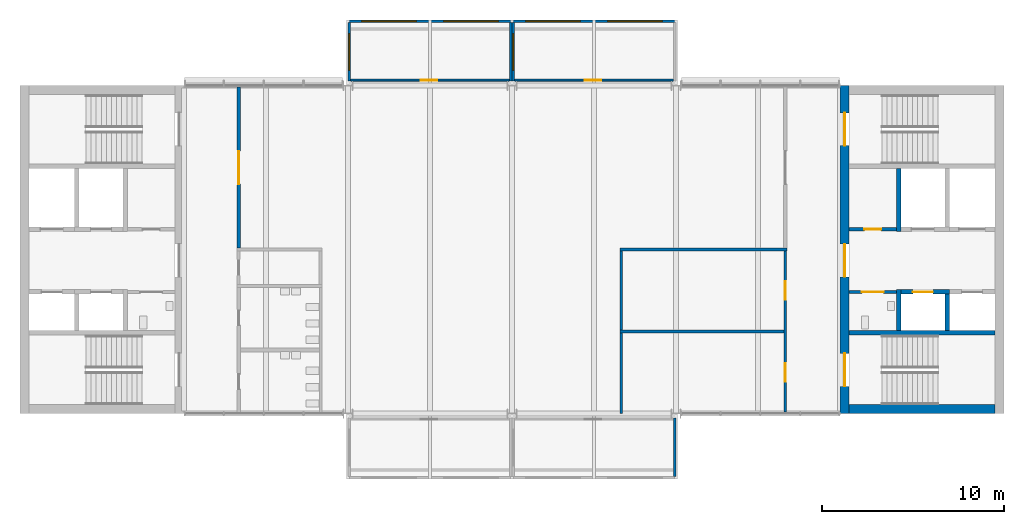
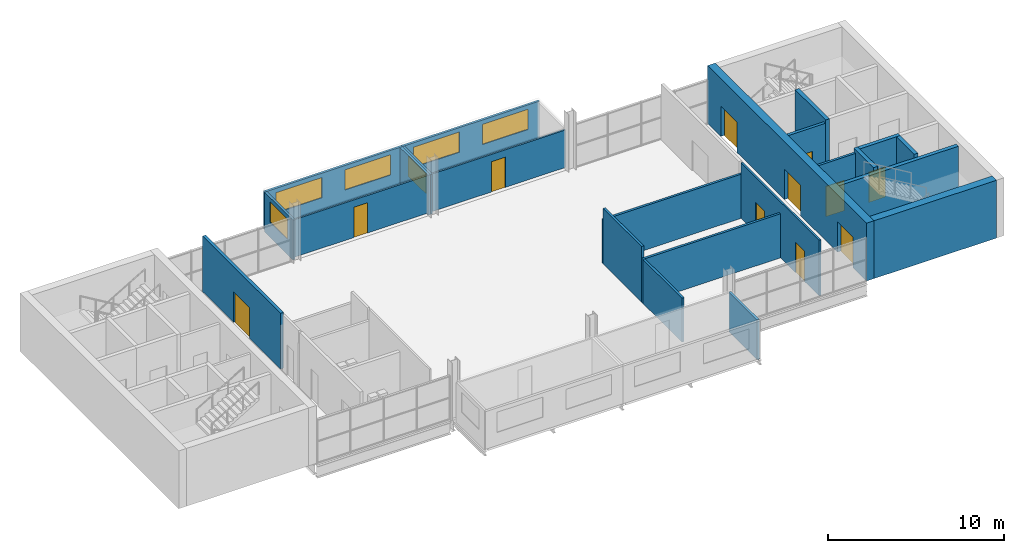
# One storey, part 6 of 10: 23 walls, 11 doors, 6 windows, 17 openings.
"""IFC4 building model written with IfcOpenShell, lengths in metres."""

from ifc_helpers import new_model, si_unit, direction, frame, frame_2d, origin, place, context, subcontext, project, spatial, rectangle, extrude, material, layer, layer_set, type_object, element, fill, save


model = new_model("IFC4")

# Units and contexts
model_context = context("Model", 3, precision=1e-05, world=origin(), true_north=direction((0.0, 1.0)))
body_context = subcontext(model_context, "Body", "Model", "MODEL_VIEW")
ifc_project = project(units=[si_unit("LENGTHUNIT", "METRE"), si_unit("AREAUNIT", "SQUARE_METRE"), si_unit("VOLUMEUNIT", "CUBIC_METRE"), si_unit("PLANEANGLEUNIT", "RADIAN"), si_unit("MASSUNIT", "GRAM", prefix="KILO")], contexts=[model_context])

# Site, building, storey
site_placement = place(None, origin())
site = spatial("IfcSite", under=ifc_project, at=site_placement, CompositionType="ELEMENT")
building_placement = place(site_placement, origin())
building = spatial("IfcBuilding", under=site, at=building_placement, Name="Corbel Yard City Hall", CompositionType="ELEMENT")
storey_placement = place(building_placement, frame((0.0, 0.0, 23.199951171875)))
storey = spatial("IfcBuildingStorey", under=building, at=storey_placement, Name="L05", CompositionType="ELEMENT", Elevation=23.199951171875)

# Walls
ifc_material_1 = material(Name="Concrete N40 (40 MPa)", Category="concrete")
ifc_layer_1 = layer(ifc_material_1, 0.25)
ifc_layer_set_1 = layer_set([ifc_layer_1], Name="Concrete N40 (40 MPa)")
wall_type_1 = type_object("IfcWallType", Name="IW2", PredefinedType="SOLIDWALL", material=ifc_layer_set_1)
wall_1_placement = place(storey_placement, frame((45.5, 103.425048828125, 0.0), z_axis=(0.0, 0.0, 1.0), x_axis=(1.0, 0.0, 0.0)))
element("IfcWall", 1, at=wall_1_placement, inside=storey, type_object=wall_type_1, Name="Stair enclosure wall", PredefinedType="SOLIDWALL", context=body_context, shape_type="SweptSolid", body=[
    extrude(rectangle(XDim=8.0, YDim=0.25, at=frame_2d((4.0, 0.0))), origin(), (0.0, 0.0, 1.0), 3.75),
])
wall_2_placement = place(storey_placement, frame((48.22509765625, 103.550048828125, 0.0), z_axis=(0.0, 0.0, 1.0), x_axis=(0.0, 1.0, 0.0)))
element("IfcWall", 2, at=wall_2_placement, inside=storey, type_object=wall_type_1, Name="Lift LP25 shaft wall", PredefinedType="SOLIDWALL", context=body_context, shape_type="SweptSolid", body=[
    extrude(rectangle(XDim=2.25, YDim=0.25, at=frame_2d((1.125, 0.0))), origin(), (0.0, 0.0, 1.0), 4.0),
])
wall_3_placement = place(storey_placement, frame((50.875, 103.550048828125, 0.0), z_axis=(0.0, 0.0, 1.0), x_axis=(0.0, 1.0, 0.0)))
element("IfcWall", 3, at=wall_3_placement, inside=storey, type_object=wall_type_1, Name="Lift LP25 shaft wall", PredefinedType="SOLIDWALL", context=body_context, shape_type="SweptSolid", body=[
    extrude(rectangle(XDim=2.0, YDim=0.25, at=frame_2d((1.0, 0.0))), origin(), (0.0, 0.0, 1.0), 4.0),
])

# Wall, opening, door
wall_4_placement = place(storey_placement, frame((48.35009765625, 105.675048828125, 0.0), z_axis=(0.0, 0.0, 1.0), x_axis=(1.0, 0.0, 0.0)))
wall_4 = element("IfcWall", 4, at=wall_4_placement, inside=storey, type_object=wall_type_1, Name="Lift LP25 shaft wall", PredefinedType="SOLIDWALL", context=body_context, shape_type="SweptSolid", body=[
    extrude(rectangle(XDim=2.64990234375, YDim=0.25, at=frame_2d((1.324951171875, 0.0))), origin(), (0.0, 0.0, 1.0), 4.0),
])
opening_1_placement = place(wall_4_placement, frame((0.64990234375, 0.0, 0.0)))
opening_1 = element("IfcOpeningElement", 5, at=opening_1_placement, cuts=wall_4, Name="Opening T1-009", PredefinedType="OPENING", context=body_context, shape_type="SweptSolid", body=[
    extrude(rectangle(XDim=1.10009765625, YDim=2.10009765625, at=frame_2d((0.550048828125, 1.050048828125))), frame((0.0, 0.135009765625, 0.0), z_axis=(0.0, -1.0, 0.0), x_axis=(1.0, 0.0, 0.0)), (0.0, 0.0, 1.0), 0.27001953125),
])
ifc_material_2 = material(Name="Stainless steel Grade 316", Category="steel")
door_type_1 = type_object("IfcDoorType", Name="LD1", OperationType="DOUBLE_DOOR_SLIDING", PredefinedType="DOOR", material=ifc_material_2)
door_1_placement = place(opening_1_placement, origin())
door_1 = element("IfcDoor", 6, at=door_1_placement, inside=storey, type_object=door_type_1, Name="Lift LP25 landing door", OperationType="DOUBLE_DOOR_SLIDING", OverallHeight=2.10009765625, OverallWidth=1.10009765625, PredefinedType="DOOR", context=body_context, shape_type="SweptSolid", body=[
    extrude(rectangle(XDim=1.10009765625, YDim=2.10009765625, at=frame_2d((0.550048828125, 1.050048828125))), frame((0.0, 0.02490234375, 0.0), z_axis=(0.0, -1.0, 0.0), x_axis=(1.0, 0.0, 0.0)), (0.0, 0.0, 1.0), 0.050048828125),
])
fill(opening_1, door_1)

# Wall
wall_5_placement = place(storey_placement, frame((48.22509765625, 109.0, 0.0), z_axis=(0.0, 0.0, 1.0), x_axis=(0.0, 1.0, 0.0)))
element("IfcWall", 7, at=wall_5_placement, inside=storey, type_object=wall_type_1, Name="Lift LF2 shaft wall", PredefinedType="SOLIDWALL", context=body_context, shape_type="SweptSolid", body=[
    extrude(rectangle(XDim=3.449951171875, YDim=0.25, at=frame_2d((1.72509765625, 0.0))), origin(), (0.0, 0.0, 1.0), 4.0),
])

# Wall, openings, windows
ifc_material_3 = material(Name="Anodised aluminium", Category="aluminium")
ifc_layer_2 = layer(ifc_material_3, 0.02392578125)
ifc_material_4 = material(Name="Steel Grade G550 (550 MPa yield)", Category="steel")
ifc_layer_3 = layer(ifc_material_4, 0.10009765625)
ifc_material_5 = material(Name="Gypsum plasterboard", Category="gypsum")
ifc_layer_4 = layer(ifc_material_5, 0.02587890625)
ifc_layer_set_2 = layer_set([ifc_layer_2, ifc_layer_3, ifc_layer_4], Name="Steel Grade G550 (550 MPa yield)")
wall_type_2 = type_object("IfcWallType", Name="PD1", PredefinedType="SOLIDWALL", material=ifc_layer_set_2)
wall_6_placement = place(storey_placement, frame((18.0, 120.52490234375, 0.0), z_axis=(0.0, 0.0, 1.0), x_axis=(1.0, 0.0, 0.0)))
wall_6 = element("IfcWall", 8, at=wall_6_placement, inside=storey, type_object=wall_type_2, Name="Pod outer wall L05", PredefinedType="SOLIDWALL", context=body_context, shape_type="SweptSolid", body=[
    extrude(rectangle(XDim=9.0, YDim=0.14990234375, at=frame_2d((4.5, 0.0))), origin(), (0.0, 0.0, 1.0), 2.60009765625),
])
opening_2_placement = place(wall_6_placement, frame((0.75, 0.0, 0.89990234375)))
opening_2 = element("IfcOpeningElement", 9, at=opening_2_placement, cuts=wall_6, Name="Opening WN5", PredefinedType="OPENING", context=body_context, shape_type="SweptSolid", body=[
    extrude(rectangle(XDim=3.0, YDim=1.39990234375, at=frame_2d((1.5, 0.699951171875))), frame((0.0, 0.0849609375, 0.0), z_axis=(0.0, -1.0, 0.0), x_axis=(1.0, 0.0, 0.0)), (0.0, 0.0, 1.0), 0.169921875),
])
opening_3_placement = place(wall_6_placement, frame((5.25, 0.0, 0.89990234375)))
opening_3 = element("IfcOpeningElement", 10, at=opening_3_placement, cuts=wall_6, Name="Opening WN5", PredefinedType="OPENING", context=body_context, shape_type="SweptSolid", body=[
    extrude(rectangle(XDim=3.0, YDim=1.39990234375, at=frame_2d((1.5, 0.699951171875))), frame((0.0, 0.0849609375, 0.0), z_axis=(0.0, -1.0, 0.0), x_axis=(1.0, 0.0, 0.0)), (0.0, 0.0, 1.0), 0.169921875),
])
ifc_material_6 = material(Name="Aluminium frame, double glazed low-e glass", Category="aluminium")
window_type_1 = type_object("IfcWindowType", Name="WN5", PartitioningType="SINGLE_PANEL", PredefinedType="WINDOW", material=ifc_material_6)
window_1_placement = place(opening_2_placement, origin())
window_1 = element("IfcWindow", 11, at=window_1_placement, inside=storey, type_object=window_type_1, Name="Window WN5 L05", OverallHeight=1.39990234375, OverallWidth=3.0, PartitioningType="SINGLE_PANEL", PredefinedType="WINDOW", context=body_context, shape_type="SweptSolid", body=[
    extrude(rectangle(XDim=3.0, YDim=1.39990234375, at=frame_2d((1.5, 0.699951171875))), frame((0.0, 0.030029296875, 0.0), z_axis=(0.0, -1.0, 0.0), x_axis=(1.0, 0.0, 0.0)), (0.0, 0.0, 1.0), 0.06005859375),
])
fill(opening_2, window_1)
window_2_placement = place(opening_3_placement, origin())
window_2 = element("IfcWindow", 12, at=window_2_placement, inside=storey, type_object=window_type_1, Name="Window WN5 L05", OverallHeight=1.39990234375, OverallWidth=3.0, PartitioningType="SINGLE_PANEL", PredefinedType="WINDOW", context=body_context, shape_type="SweptSolid", body=[
    extrude(rectangle(XDim=3.0, YDim=1.39990234375, at=frame_2d((1.5, 0.699951171875))), frame((0.0, 0.030029296875, 0.0), z_axis=(0.0, -1.0, 0.0), x_axis=(1.0, 0.0, 0.0)), (0.0, 0.0, 1.0), 0.06005859375),
])
fill(opening_3, window_2)

wall_7_placement = place(storey_placement, frame((27.0, 120.52490234375, 0.0), z_axis=(0.0, 0.0, 1.0), x_axis=(1.0, 0.0, 0.0)))
wall_7 = element("IfcWall", 13, at=wall_7_placement, inside=storey, type_object=wall_type_2, Name="Pod outer wall L05", PredefinedType="SOLIDWALL", context=body_context, shape_type="SweptSolid", body=[
    extrude(rectangle(XDim=9.0, YDim=0.14990234375, at=frame_2d((4.5, 0.0))), origin(), (0.0, 0.0, 1.0), 2.60009765625),
])
opening_4_placement = place(wall_7_placement, frame((0.75, 0.0, 0.89990234375)))
opening_4 = element("IfcOpeningElement", 14, at=opening_4_placement, cuts=wall_7, Name="Opening WN5", PredefinedType="OPENING", context=body_context, shape_type="SweptSolid", body=[
    extrude(rectangle(XDim=3.0, YDim=1.39990234375, at=frame_2d((1.5, 0.699951171875))), frame((0.0, 0.0849609375, 0.0), z_axis=(0.0, -1.0, 0.0), x_axis=(1.0, 0.0, 0.0)), (0.0, 0.0, 1.0), 0.169921875),
])
opening_5_placement = place(wall_7_placement, frame((5.25, 0.0, 0.89990234375)))
opening_5 = element("IfcOpeningElement", 15, at=opening_5_placement, cuts=wall_7, Name="Opening WN5", PredefinedType="OPENING", context=body_context, shape_type="SweptSolid", body=[
    extrude(rectangle(XDim=3.0, YDim=1.39990234375, at=frame_2d((1.5, 0.699951171875))), frame((0.0, 0.0849609375, 0.0), z_axis=(0.0, -1.0, 0.0), x_axis=(1.0, 0.0, 0.0)), (0.0, 0.0, 1.0), 0.169921875),
])
window_3_placement = place(opening_4_placement, origin())
window_3 = element("IfcWindow", 16, at=window_3_placement, inside=storey, type_object=window_type_1, Name="Window WN5 L05", OverallHeight=1.39990234375, OverallWidth=3.0, PartitioningType="SINGLE_PANEL", PredefinedType="WINDOW", context=body_context, shape_type="SweptSolid", body=[
    extrude(rectangle(XDim=3.0, YDim=1.39990234375, at=frame_2d((1.5, 0.699951171875))), frame((0.0, 0.030029296875, 0.0), z_axis=(0.0, -1.0, 0.0), x_axis=(1.0, 0.0, 0.0)), (0.0, 0.0, 1.0), 0.06005859375),
])
fill(opening_4, window_3)
window_4_placement = place(opening_5_placement, origin())
window_4 = element("IfcWindow", 17, at=window_4_placement, inside=storey, type_object=window_type_1, Name="Window WN5 L05", OverallHeight=1.39990234375, OverallWidth=3.0, PartitioningType="SINGLE_PANEL", PredefinedType="WINDOW", context=body_context, shape_type="SweptSolid", body=[
    extrude(rectangle(XDim=3.0, YDim=1.39990234375, at=frame_2d((1.5, 0.699951171875))), frame((0.0, 0.030029296875, 0.0), z_axis=(0.0, -1.0, 0.0), x_axis=(1.0, 0.0, 0.0)), (0.0, 0.0, 1.0), 0.06005859375),
])
fill(opening_5, window_4)

# Wall, opening, door
ifc_layer_5 = layer(ifc_material_5, 0.01806640625)
ifc_layer_6 = layer(ifc_material_4, 0.06396484375)
ifc_layer_7 = layer(ifc_material_5, 0.01806640625)
ifc_layer_set_3 = layer_set([ifc_layer_5, ifc_layer_6, ifc_layer_7], Name="Steel Grade G550 (550 MPa yield)")
wall_type_3 = type_object("IfcWallType", Name="PD2", PredefinedType="PARTITIONING", material=ifc_layer_set_3)
wall_8_placement = place(storey_placement, frame((18.14990234375, 117.300048828125, 0.0), z_axis=(0.0, 0.0, 1.0), x_axis=(1.0, 0.0, 0.0)))
wall_8 = element("IfcWall", 18, at=wall_8_placement, inside=storey, type_object=wall_type_3, Name="Pod inner wall L05", PredefinedType="PARTITIONING", context=body_context, shape_type="SweptSolid", body=[
    extrude(rectangle(XDim=8.7001953125, YDim=0.10009765625, at=frame_2d((4.35009765625, 0.0))), origin(), (0.0, 0.0, 1.0), 2.60009765625),
])
opening_6_placement = place(wall_8_placement, frame((3.85009765625, 0.0, 0.0)))
opening_6 = element("IfcOpeningElement", 19, at=opening_6_placement, cuts=wall_8, Name="Opening T1-003", PredefinedType="OPENING", context=body_context, shape_type="SweptSolid", body=[
    extrude(rectangle(XDim=0.89990234375, YDim=2.10009765625, at=frame_2d((0.449951171875, 1.050048828125))), frame((0.0, 0.06005859375, 0.0), z_axis=(0.0, -1.0, 0.0), x_axis=(1.0, 0.0, 0.0)), (0.0, 0.0, 1.0), 0.1201171875),
])
ifc_material_7 = material(Name="Timber, solid core", Category="wood")
door_type_2 = type_object("IfcDoorType", Name="XD6", OperationType="SINGLE_SWING_LEFT", PredefinedType="DOOR", material=ifc_material_7)
door_2_placement = place(opening_6_placement, origin())
door_2 = element("IfcDoor", 20, at=door_2_placement, inside=storey, type_object=door_type_2, Name="Pod door L05", OperationType="SINGLE_SWING_LEFT", OverallHeight=2.10009765625, OverallWidth=0.89990234375, PredefinedType="DOOR", context=body_context, shape_type="SweptSolid", body=[
    extrude(rectangle(XDim=0.89990234375, YDim=2.10009765625, at=frame_2d((0.449951171875, 1.050048828125))), frame((0.0, 0.02490234375, 0.0), z_axis=(0.0, -1.0, 0.0), x_axis=(1.0, 0.0, 0.0)), (0.0, 0.0, 1.0), 0.050048828125),
])
fill(opening_6, door_2)

wall_9_placement = place(storey_placement, frame((27.14990234375, 117.300048828125, 0.0), z_axis=(0.0, 0.0, 1.0), x_axis=(1.0, 0.0, 0.0)))
wall_9 = element("IfcWall", 21, at=wall_9_placement, inside=storey, type_object=wall_type_3, Name="Pod inner wall L05", PredefinedType="PARTITIONING", context=body_context, shape_type="SweptSolid", body=[
    extrude(rectangle(XDim=8.7001953125, YDim=0.10009765625, at=frame_2d((4.35009765625, 0.0))), origin(), (0.0, 0.0, 1.0), 2.60009765625),
])
opening_7_placement = place(wall_9_placement, frame((3.85009765625, 0.0, 0.0)))
opening_7 = element("IfcOpeningElement", 22, at=opening_7_placement, cuts=wall_9, Name="Opening T1-004", PredefinedType="OPENING", context=body_context, shape_type="SweptSolid", body=[
    extrude(rectangle(XDim=0.89990234375, YDim=2.10009765625, at=frame_2d((0.449951171875, 1.050048828125))), frame((0.0, 0.06005859375, 0.0), z_axis=(0.0, -1.0, 0.0), x_axis=(1.0, 0.0, 0.0)), (0.0, 0.0, 1.0), 0.1201171875),
])
door_3_placement = place(opening_7_placement, origin())
door_3 = element("IfcDoor", 23, at=door_3_placement, inside=storey, type_object=door_type_2, Name="Pod door L05", OperationType="SINGLE_SWING_LEFT", OverallHeight=2.10009765625, OverallWidth=0.89990234375, PredefinedType="DOOR", context=body_context, shape_type="SweptSolid", body=[
    extrude(rectangle(XDim=0.89990234375, YDim=2.10009765625, at=frame_2d((0.449951171875, 1.050048828125))), frame((0.0, 0.02490234375, 0.0), z_axis=(0.0, -1.0, 0.0), x_axis=(1.0, 0.0, 0.0)), (0.0, 0.0, 1.0), 0.050048828125),
])
fill(opening_7, door_3)

# Wall
ifc_layer_8 = layer(ifc_material_3, 0.02392578125)
ifc_layer_9 = layer(ifc_material_4, 0.10009765625)
ifc_layer_10 = layer(ifc_material_5, 0.02587890625)
ifc_layer_set_4 = layer_set([ifc_layer_8, ifc_layer_9, ifc_layer_10], Name="Steel Grade G550 (550 MPa yield)")
wall_type_4 = type_object("IfcWallType", Name="PD3", PredefinedType="SOLIDWALL", material=ifc_layer_set_4)
wall_10_placement = place(storey_placement, frame((35.925048828125, 95.550048828125, -0.14990234375), z_axis=(0.0, 0.0, 1.0), x_axis=(0.0, 1.0, 0.0)))
element("IfcWall", 24, at=wall_10_placement, inside=storey, type_object=wall_type_4, Name="Pod side wall L05", PredefinedType="SOLIDWALL", context=body_context, shape_type="SweptSolid", body=[
    extrude(rectangle(XDim=3.199951171875, YDim=0.14990234375, at=frame_2d((1.60009765625, 0.0))), origin(), (0.0, 0.0, 1.0), 2.75),
])

# Wall, opening, window
wall_11_placement = place(storey_placement, frame((18.074951171875, 120.449951171875, -0.14990234375), z_axis=(0.0, 0.0, 1.0), x_axis=(0.0, -1.0, 0.0)))
wall_11 = element("IfcWall", 25, at=wall_11_placement, inside=storey, type_object=wall_type_4, Name="Pod side wall L05", PredefinedType="SOLIDWALL", context=body_context, shape_type="SweptSolid", body=[
    extrude(rectangle(XDim=3.199951171875, YDim=0.14990234375, at=frame_2d((1.60009765625, 0.0))), origin(), (0.0, 0.0, 1.0), 2.75),
])
opening_8_placement = place(wall_11_placement, frame((0.60009765625, 0.0, 1.050048828125)))
opening_8 = element("IfcOpeningElement", 26, at=opening_8_placement, cuts=wall_11, Name="Opening WN6", PredefinedType="OPENING", context=body_context, shape_type="SweptSolid", body=[
    extrude(rectangle(XDim=2.0, YDim=1.39990234375, at=frame_2d((1.0, 0.699951171875))), frame((0.0, 0.0849609375, 0.0), z_axis=(0.0, -1.0, 0.0), x_axis=(1.0, 0.0, 0.0)), (0.0, 0.0, 1.0), 0.169921875),
])
window_type_2 = type_object("IfcWindowType", Name="WN6", PartitioningType="SINGLE_PANEL", PredefinedType="WINDOW", material=ifc_material_6)
window_5_placement = place(opening_8_placement, origin())
window_5 = element("IfcWindow", 27, at=window_5_placement, inside=storey, type_object=window_type_2, Name="Window WN6 L05", OverallHeight=1.39990234375, OverallWidth=2.0, PartitioningType="SINGLE_PANEL", PredefinedType="WINDOW", context=body_context, shape_type="SweptSolid", body=[
    extrude(rectangle(XDim=2.0, YDim=1.39990234375, at=frame_2d((1.0, 0.699951171875))), frame((0.0, 0.030029296875, 0.0), z_axis=(0.0, -1.0, 0.0), x_axis=(1.0, 0.0, 0.0)), (0.0, 0.0, 1.0), 0.06005859375),
])
fill(opening_8, window_5)

# Wall
wall_12_placement = place(storey_placement, frame((26.925048828125, 120.449951171875, -0.14990234375), z_axis=(0.0, 0.0, 1.0), x_axis=(0.0, -1.0, 0.0)))
element("IfcWall", 28, at=wall_12_placement, inside=storey, type_object=wall_type_4, Name="Pod side wall L05", PredefinedType="SOLIDWALL", context=body_context, shape_type="SweptSolid", body=[
    extrude(rectangle(XDim=3.199951171875, YDim=0.14990234375, at=frame_2d((1.60009765625, 0.0))), origin(), (0.0, 0.0, 1.0), 2.75),
])

# Wall, opening, window
wall_13_placement = place(storey_placement, frame((27.074951171875, 120.449951171875, -0.14990234375), z_axis=(0.0, 0.0, 1.0), x_axis=(0.0, -1.0, 0.0)))
wall_13 = element("IfcWall", 29, at=wall_13_placement, inside=storey, type_object=wall_type_4, Name="Pod side wall L05", PredefinedType="SOLIDWALL", context=body_context, shape_type="SweptSolid", body=[
    extrude(rectangle(XDim=3.199951171875, YDim=0.14990234375, at=frame_2d((1.60009765625, 0.0))), origin(), (0.0, 0.0, 1.0), 2.75),
])
opening_9_placement = place(wall_13_placement, frame((0.60009765625, 0.0, 1.050048828125)))
opening_9 = element("IfcOpeningElement", 30, at=opening_9_placement, cuts=wall_13, Name="Opening WN6", PredefinedType="OPENING", context=body_context, shape_type="SweptSolid", body=[
    extrude(rectangle(XDim=2.0, YDim=1.39990234375, at=frame_2d((1.0, 0.699951171875))), frame((0.0, 0.0849609375, 0.0), z_axis=(0.0, -1.0, 0.0), x_axis=(1.0, 0.0, 0.0)), (0.0, 0.0, 1.0), 0.169921875),
])
window_6_placement = place(opening_9_placement, origin())
window_6 = element("IfcWindow", 31, at=window_6_placement, inside=storey, type_object=window_type_2, Name="Window WN6 L05", OverallHeight=1.39990234375, OverallWidth=2.0, PartitioningType="SINGLE_PANEL", PredefinedType="WINDOW", context=body_context, shape_type="SweptSolid", body=[
    extrude(rectangle(XDim=2.0, YDim=1.39990234375, at=frame_2d((1.0, 0.699951171875))), frame((0.0, 0.030029296875, 0.0), z_axis=(0.0, -1.0, 0.0), x_axis=(1.0, 0.0, 0.0)), (0.0, 0.0, 1.0), 0.06005859375),
])
fill(opening_9, window_6)

# Wall, opening, door
ifc_layer_11 = layer(ifc_material_5, 0.031982421875)
ifc_layer_12 = layer(ifc_material_4, 0.135986328125)
ifc_layer_13 = layer(ifc_material_5, 0.031982421875)
ifc_layer_set_5 = layer_set([ifc_layer_11, ifc_layer_12, ifc_layer_13], Name="Steel Grade G550 (550 MPa yield)")
wall_type_5 = type_object("IfcWallType", Name="PT2", PredefinedType="PARTITIONING", material=ifc_layer_set_5)
wall_14_placement = place(storey_placement, frame((12.0, 108.080078125, 0.0), z_axis=(0.0, 0.0, 1.0), x_axis=(0.0, 1.0, 0.0)))
wall_14 = element("IfcWall", 32, at=wall_14_placement, inside=storey, type_object=wall_type_5, Name="Acoustic wall", PredefinedType="PARTITIONING", context=body_context, shape_type="SweptSolid", body=[
    extrude(rectangle(XDim=8.829833984375, YDim=0.199951171875, at=frame_2d((4.4150390625, 0.0))), origin(), (0.0, 0.0, 1.0), 3.85009765625),
])
opening_10_placement = place(wall_14_placement, frame((3.52001953125, 0.0, 0.0)))
opening_10 = element("IfcOpeningElement", 33, at=opening_10_placement, cuts=wall_14, Name="Opening T1-016", PredefinedType="OPENING", context=body_context, shape_type="SweptSolid", body=[
    extrude(rectangle(XDim=1.800048828125, YDim=2.10009765625, at=frame_2d((0.89990234375, 1.050048828125))), frame((0.0, 0.10986328125, 0.0), z_axis=(0.0, -1.0, 0.0), x_axis=(1.0, 0.0, 0.0)), (0.0, 0.0, 1.0), 0.219970703125),
])
ifc_material_8 = material(Name="Timber", Category="wood")
door_type_3 = type_object("IfcDoorType", Name="D3", OperationType="DOUBLE_DOOR_SINGLE_SWING", PredefinedType="DOOR", material=ifc_material_8)
door_4_placement = place(opening_10_placement, origin())
door_4 = element("IfcDoor", 34, at=door_4_placement, inside=storey, type_object=door_type_3, Name="Door Open Office 0506", OperationType="DOUBLE_DOOR_SINGLE_SWING", OverallHeight=2.10009765625, OverallWidth=1.800048828125, PredefinedType="DOOR", context=body_context, shape_type="SweptSolid", body=[
    extrude(rectangle(XDim=1.800048828125, YDim=2.10009765625, at=frame_2d((0.89990234375, 1.050048828125))), frame((0.0, 0.02490234375, 0.0), z_axis=(0.0, -1.0, 0.0), x_axis=(1.0, 0.0, 0.0)), (0.0, 0.0, 1.0), 0.050048828125),
])
fill(opening_10, door_4)

ifc_layer_14 = layer(ifc_material_5, 0.031982421875)
ifc_layer_15 = layer(ifc_material_4, 0.095947265625)
ifc_layer_16 = layer(ifc_material_5, 0.031982421875)
ifc_layer_set_6 = layer_set([ifc_layer_14, ifc_layer_15, ifc_layer_16], Name="Steel Grade G550 (550 MPa yield)")
wall_type_6 = type_object("IfcWallType", Name="PT3", PredefinedType="PARTITIONING", material=ifc_layer_set_6)
wall_15_placement = place(storey_placement, frame((45.5, 105.675048828125, 0.0), z_axis=(0.0, 0.0, 1.0), x_axis=(1.0, 0.0, 0.0)))
wall_15 = element("IfcWall", 35, at=wall_15_placement, inside=storey, type_object=wall_type_6, Name="Accessible WC wall", PredefinedType="PARTITIONING", context=body_context, shape_type="SweptSolid", body=[
    extrude(rectangle(XDim=2.60009765625, YDim=0.159912109375, at=frame_2d((1.300048828125, 0.0))), origin(), (0.0, 0.0, 1.0), 3.75),
])
opening_11_placement = place(wall_15_placement, frame((0.699951171875, 0.0, 0.0)))
opening_11 = element("IfcOpeningElement", 36, at=opening_11_placement, cuts=wall_15, Name="Opening T1-028", PredefinedType="OPENING", context=body_context, shape_type="SweptSolid", body=[
    extrude(rectangle(XDim=1.199951171875, YDim=2.10009765625, at=frame_2d((0.60009765625, 1.050048828125))), frame((0.0, 0.08984375, 0.0), z_axis=(0.0, -1.0, 0.0), x_axis=(1.0, 0.0, 0.0)), (0.0, 0.0, 1.0), 0.179931640625),
])
ifc_material_9 = material(Name="Steel Grade G250", Category="steel")
door_type_4 = type_object("IfcDoorType", Name="FD7", OperationType="SINGLE_SWING_LEFT", PredefinedType="DOOR", material=ifc_material_9)
door_5_placement = place(opening_11_placement, frame((1.199951171875, 0.0, 0.0), z_axis=(0.0, 0.0, 1.0), x_axis=(-1.0, 0.0, 0.0)))
door_5 = element("IfcDoor", 37, at=door_5_placement, inside=storey, type_object=door_type_4, Name="Door accessible WC East", OperationType="SINGLE_SWING_RIGHT", OverallHeight=2.10009765625, OverallWidth=1.199951171875, PredefinedType="DOOR", context=body_context, shape_type="SweptSolid", body=[
    extrude(rectangle(XDim=1.199951171875, YDim=2.10009765625, at=frame_2d((0.60009765625, 1.050048828125))), frame((0.0, 0.02490234375, 0.0), z_axis=(0.0, -1.0, 0.0), x_axis=(1.0, 0.0, 0.0)), (0.0, 0.0, 1.0), 0.050048828125),
])
fill(opening_11, door_5)

ifc_material_10 = material(Name="Concrete block", Category="concrete")
ifc_layer_17 = layer(ifc_material_10, 0.18994140625)
ifc_layer_set_7 = layer_set([ifc_layer_17], Name="Concrete block")
wall_type_7 = type_object("IfcWallType", Name="PT4", PredefinedType="PARTITIONING", material=ifc_layer_set_7)
wall_16_placement = place(storey_placement, frame((45.5, 109.125, 0.0), z_axis=(0.0, 0.0, 1.0), x_axis=(1.0, 0.0, 0.0)))
wall_16 = element("IfcWall", 38, at=wall_16_placement, inside=storey, type_object=wall_type_7, Name="Riser wall", PredefinedType="PARTITIONING", context=body_context, shape_type="SweptSolid", body=[
    extrude(rectangle(XDim=2.60009765625, YDim=0.18994140625, at=frame_2d((1.300048828125, 0.0))), origin(), (0.0, 0.0, 1.0), 3.75),
])
opening_12_placement = place(wall_16_placement, frame((0.840087890625, 0.0, 0.0)))
opening_12 = element("IfcOpeningElement", 39, at=opening_12_placement, cuts=wall_16, Name="Opening T1-029", PredefinedType="OPENING", context=body_context, shape_type="SweptSolid", body=[
    extrude(rectangle(XDim=0.919921875, YDim=2.10009765625, at=frame_2d((0.4599609375, 1.050048828125))), frame((0.0, 0.10498046875, 0.0), z_axis=(0.0, -1.0, 0.0), x_axis=(1.0, 0.0, 0.0)), (0.0, 0.0, 1.0), 0.2099609375),
])
door_type_5 = type_object("IfcDoorType", Name="FS4", OperationType="SINGLE_SWING_LEFT", PredefinedType="DOOR", material=ifc_material_9)
door_6_placement = place(opening_12_placement, origin())
door_6 = element("IfcDoor", 40, at=door_6_placement, inside=storey, type_object=door_type_5, Name="Door riser East", OperationType="SINGLE_SWING_LEFT", OverallHeight=2.10009765625, OverallWidth=0.919921875, PredefinedType="DOOR", context=body_context, shape_type="SweptSolid", body=[
    extrude(rectangle(XDim=0.919921875, YDim=2.10009765625, at=frame_2d((0.4599609375, 1.050048828125))), frame((0.0, 0.02490234375, 0.0), z_axis=(0.0, -1.0, 0.0), x_axis=(1.0, 0.0, 0.0)), (0.0, 0.0, 1.0), 0.050048828125),
])
fill(opening_12, door_6)

# Wall, openings, doors
ifc_material_11 = material(Name="Glass", Category="glass")
ifc_layer_18 = layer(ifc_material_11, 0.1201171875)
ifc_layer_set_8 = layer_set([ifc_layer_18], Name="Glass")
wall_type_8 = type_object("IfcWallType", Name="PT41", PredefinedType="PARTITIONING", material=ifc_layer_set_8)
wall_17_placement = place(storey_placement, frame((42.0, 99.074951171875, 0.0), z_axis=(0.0, 0.0, 1.0), x_axis=(0.0, 1.0, 0.0)))
wall_17 = element("IfcWall", 41, at=wall_17_placement, inside=storey, type_object=wall_type_8, Name="Glazed partition", PredefinedType="PARTITIONING", context=body_context, shape_type="SweptSolid", body=[
    extrude(rectangle(XDim=8.85009765625, YDim=0.1201171875, at=frame_2d((4.425048828125, 0.0))), origin(), (0.0, 0.0, 1.0), 3.85009765625),
])
opening_13_placement = place(wall_17_placement, frame((1.675048828125, 0.0, 0.0)))
opening_13 = element("IfcOpeningElement", 42, at=opening_13_placement, cuts=wall_17, Name="Opening T1-018", PredefinedType="OPENING", context=body_context, shape_type="SweptSolid", body=[
    extrude(rectangle(XDim=1.0, YDim=2.10009765625, at=frame_2d((0.5, 1.050048828125))), frame((0.0, 0.070068359375, 0.0), z_axis=(0.0, -1.0, 0.0), x_axis=(1.0, 0.0, 0.0)), (0.0, 0.0, 1.0), 0.14013671875),
])
opening_14_placement = place(wall_17_placement, frame((6.175048828125, 0.0, 0.0)))
opening_14 = element("IfcOpeningElement", 43, at=opening_14_placement, cuts=wall_17, Name="Opening T1-019", PredefinedType="OPENING", context=body_context, shape_type="SweptSolid", body=[
    extrude(rectangle(XDim=1.0, YDim=2.10009765625, at=frame_2d((0.5, 1.050048828125))), frame((0.0, 0.070068359375, 0.0), z_axis=(0.0, -1.0, 0.0), x_axis=(1.0, 0.0, 0.0)), (0.0, 0.0, 1.0), 0.14013671875),
])
door_type_6 = type_object("IfcDoorType", Name="D1", OperationType="SINGLE_SWING_LEFT", PredefinedType="DOOR", material=ifc_material_8)
door_7_placement = place(opening_13_placement, origin())
door_7 = element("IfcDoor", 44, at=door_7_placement, inside=storey, type_object=door_type_6, Name="Door Meeting Room 0507", OperationType="SINGLE_SWING_RIGHT", OverallHeight=2.10009765625, OverallWidth=1.0, PredefinedType="DOOR", context=body_context, shape_type="SweptSolid", body=[
    extrude(rectangle(XDim=1.0, YDim=2.10009765625, at=frame_2d((0.5, 1.050048828125))), frame((0.0, 0.02490234375, 0.0), z_axis=(0.0, -1.0, 0.0), x_axis=(1.0, 0.0, 0.0)), (0.0, 0.0, 1.0), 0.050048828125),
])
fill(opening_13, door_7)
door_8_placement = place(opening_14_placement, origin())
door_8 = element("IfcDoor", 45, at=door_8_placement, inside=storey, type_object=door_type_6, Name="Door Meeting Room 0508", OperationType="SINGLE_SWING_LEFT", OverallHeight=2.10009765625, OverallWidth=1.0, PredefinedType="DOOR", context=body_context, shape_type="SweptSolid", body=[
    extrude(rectangle(XDim=1.0, YDim=2.10009765625, at=frame_2d((0.5, 1.050048828125))), frame((0.0, 0.02490234375, 0.0), z_axis=(0.0, -1.0, 0.0), x_axis=(1.0, 0.0, 0.0)), (0.0, 0.0, 1.0), 0.050048828125),
])
fill(opening_14, door_8)

# Walls
ifc_layer_19 = layer(ifc_material_5, 0.031982421875)
ifc_layer_20 = layer(ifc_material_4, 0.0859375)
ifc_layer_21 = layer(ifc_material_5, 0.031982421875)
ifc_layer_set_9 = layer_set([ifc_layer_19, ifc_layer_20, ifc_layer_21], Name="Steel Grade G550 (550 MPa yield)")
wall_type_9 = type_object("IfcWallType", Name="PT7", PredefinedType="PARTITIONING", material=ifc_layer_set_9)
wall_18_placement = place(storey_placement, frame((32.925048828125, 103.5, 0.0), z_axis=(0.0, 0.0, 1.0), x_axis=(1.0, 0.0, 0.0)))
element("IfcWall", 46, at=wall_18_placement, inside=storey, type_object=wall_type_9, Name="Suite partition", PredefinedType="PARTITIONING", context=body_context, shape_type="SweptSolid", body=[
    extrude(rectangle(XDim=9.014892578125, YDim=0.14990234375, at=frame_2d((4.50732421875, 0.0))), origin(), (0.0, 0.0, 1.0), 3.050048828125),
])
wall_19_placement = place(storey_placement, frame((32.925048828125, 108.0, 0.0), z_axis=(0.0, 0.0, 1.0), x_axis=(1.0, 0.0, 0.0)))
element("IfcWall", 47, at=wall_19_placement, inside=storey, type_object=wall_type_9, Name="Suite partition", PredefinedType="PARTITIONING", context=body_context, shape_type="SweptSolid", body=[
    extrude(rectangle(XDim=9.175048828125, YDim=0.14990234375, at=frame_2d((4.58740234375, 0.0))), origin(), (0.0, 0.0, 1.0), 3.050048828125),
])
wall_20_placement = place(storey_placement, frame((33.0, 99.0, 0.0), z_axis=(0.0, 0.0, 1.0), x_axis=(0.0, 1.0, 0.0)))
element("IfcWall", 48, at=wall_20_placement, inside=storey, type_object=wall_type_9, Name="Suite partition", PredefinedType="PARTITIONING", context=body_context, shape_type="SweptSolid", body=[
    extrude(rectangle(XDim=4.425048828125, YDim=0.14990234375, at=frame_2d((2.21240234375, 0.0))), origin(), (0.0, 0.0, 1.0), 3.0400390625),
])
wall_21_placement = place(storey_placement, frame((33.0, 103.574951171875, 0.0), z_axis=(0.0, 0.0, 1.0), x_axis=(0.0, 1.0, 0.0)))
element("IfcWall", 49, at=wall_21_placement, inside=storey, type_object=wall_type_9, Name="Suite partition", PredefinedType="PARTITIONING", context=body_context, shape_type="SweptSolid", body=[
    extrude(rectangle(XDim=4.35009765625, YDim=0.14990234375, at=frame_2d((2.175048828125, 0.0))), origin(), (0.0, 0.0, 1.0), 3.85009765625),
])

# Wall, openings, doors
ifc_material_12 = material(Name="Concrete N50 (50 MPa)", Category="concrete")
ifc_layer_22 = layer(ifc_material_12, 0.5)
ifc_layer_set_10 = layer_set([ifc_layer_22], Name="Concrete N50 (50 MPa)")
wall_type_10 = type_object("IfcWallType", Name="Trunk wall 500", PredefinedType="SHEAR", material=ifc_layer_set_10)
wall_22_placement = place(storey_placement, frame((45.25, 99.0, 0.0), z_axis=(0.0, 0.0, 1.0), x_axis=(0.0, 1.0, 0.0)))
wall_22 = element("IfcWall", 50, at=wall_22_placement, inside=storey, type_object=wall_type_10, Name="Trunk E west wall", PredefinedType="SHEAR", context=body_context, shape_type="SweptSolid", body=[
    extrude(rectangle(XDim=18.0, YDim=0.5, at=frame_2d((9.0, 0.0))), origin(), (0.0, 0.0, 1.0), 4.0),
])
opening_15_placement = place(wall_22_placement, frame((1.5, 0.0, 0.0)))
opening_15 = element("IfcOpeningElement", 51, at=opening_15_placement, cuts=wall_22, Name="Opening T1-025", PredefinedType="OPENING", context=body_context, shape_type="SweptSolid", body=[
    extrude(rectangle(XDim=1.800048828125, YDim=2.10009765625, at=frame_2d((0.89990234375, 1.050048828125))), frame((0.0, 0.260009765625, 0.0), z_axis=(0.0, -1.0, 0.0), x_axis=(1.0, 0.0, 0.0)), (0.0, 0.0, 1.0), 0.52001953125),
])
opening_16_placement = place(wall_22_placement, frame((14.699951171875, 0.0, 0.0)))
opening_16 = element("IfcOpeningElement", 52, at=opening_16_placement, cuts=wall_22, Name="Opening T1-026", PredefinedType="OPENING", context=body_context, shape_type="SweptSolid", body=[
    extrude(rectangle(XDim=1.800048828125, YDim=2.10009765625, at=frame_2d((0.89990234375, 1.050048828125))), frame((0.0, 0.260009765625, 0.0), z_axis=(0.0, -1.0, 0.0), x_axis=(1.0, 0.0, 0.0)), (0.0, 0.0, 1.0), 0.52001953125),
])
opening_17_placement = place(wall_22_placement, frame((7.5, 0.0, 0.0)))
opening_17 = element("IfcOpeningElement", 53, at=opening_17_placement, cuts=wall_22, Name="Opening T1-027", PredefinedType="OPENING", context=body_context, shape_type="SweptSolid", body=[
    extrude(rectangle(XDim=1.800048828125, YDim=2.10009765625, at=frame_2d((0.89990234375, 1.050048828125))), frame((0.0, 0.260009765625, 0.0), z_axis=(0.0, -1.0, 0.0), x_axis=(1.0, 0.0, 0.0)), (0.0, 0.0, 1.0), 0.52001953125),
])
door_type_7 = type_object("IfcDoorType", Name="FS3", OperationType="DOUBLE_DOOR_SINGLE_SWING", PredefinedType="DOOR", material=ifc_material_9)
door_9_placement = place(opening_15_placement, origin())
door_9 = element("IfcDoor", 54, at=door_9_placement, inside=storey, type_object=door_type_7, Name="Door ST-E1", OperationType="DOUBLE_DOOR_SINGLE_SWING", OverallHeight=2.10009765625, OverallWidth=1.800048828125, PredefinedType="DOOR", context=body_context, shape_type="SweptSolid", body=[
    extrude(rectangle(XDim=1.800048828125, YDim=2.10009765625, at=frame_2d((0.89990234375, 1.050048828125))), frame((0.0, 0.02490234375, 0.0), z_axis=(0.0, -1.0, 0.0), x_axis=(1.0, 0.0, 0.0)), (0.0, 0.0, 1.0), 0.050048828125),
])
fill(opening_15, door_9)
door_10_placement = place(opening_16_placement, origin())
door_10 = element("IfcDoor", 55, at=door_10_placement, inside=storey, type_object=door_type_7, Name="Door ST-E2", OperationType="DOUBLE_DOOR_SINGLE_SWING", OverallHeight=2.10009765625, OverallWidth=1.800048828125, PredefinedType="DOOR", context=body_context, shape_type="SweptSolid", body=[
    extrude(rectangle(XDim=1.800048828125, YDim=2.10009765625, at=frame_2d((0.89990234375, 1.050048828125))), frame((0.0, 0.02490234375, 0.0), z_axis=(0.0, -1.0, 0.0), x_axis=(1.0, 0.0, 0.0)), (0.0, 0.0, 1.0), 0.050048828125),
])
fill(opening_16, door_10)
door_11_placement = place(opening_17_placement, origin())
door_11 = element("IfcDoor", 56, at=door_11_placement, inside=storey, type_object=door_type_7, Name="Door lift lobby East", OperationType="DOUBLE_DOOR_SINGLE_SWING", OverallHeight=2.10009765625, OverallWidth=1.800048828125, PredefinedType="DOOR", context=body_context, shape_type="SweptSolid", body=[
    extrude(rectangle(XDim=1.800048828125, YDim=2.10009765625, at=frame_2d((0.89990234375, 1.050048828125))), frame((0.0, 0.02490234375, 0.0), z_axis=(0.0, -1.0, 0.0), x_axis=(1.0, 0.0, 0.0)), (0.0, 0.0, 1.0), 0.050048828125),
])
fill(opening_17, door_11)

# Wall
wall_23_placement = place(storey_placement, frame((45.5, 99.25, 0.0), z_axis=(0.0, 0.0, 1.0), x_axis=(1.0, 0.0, 0.0)))
element("IfcWall", 57, at=wall_23_placement, inside=storey, type_object=wall_type_10, Name="Trunk E south wall", PredefinedType="SHEAR", context=body_context, shape_type="SweptSolid", body=[
    extrude(rectangle(XDim=8.0, YDim=0.5, at=frame_2d((4.0, 0.0))), origin(), (0.0, 0.0, 1.0), 4.0),
])

save(model, "model.ifc")
